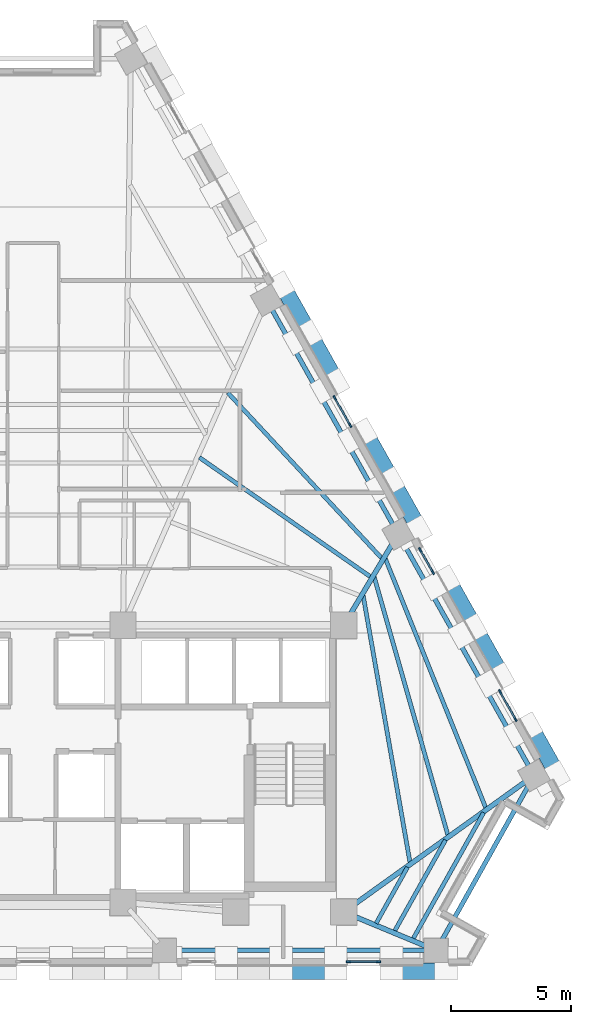
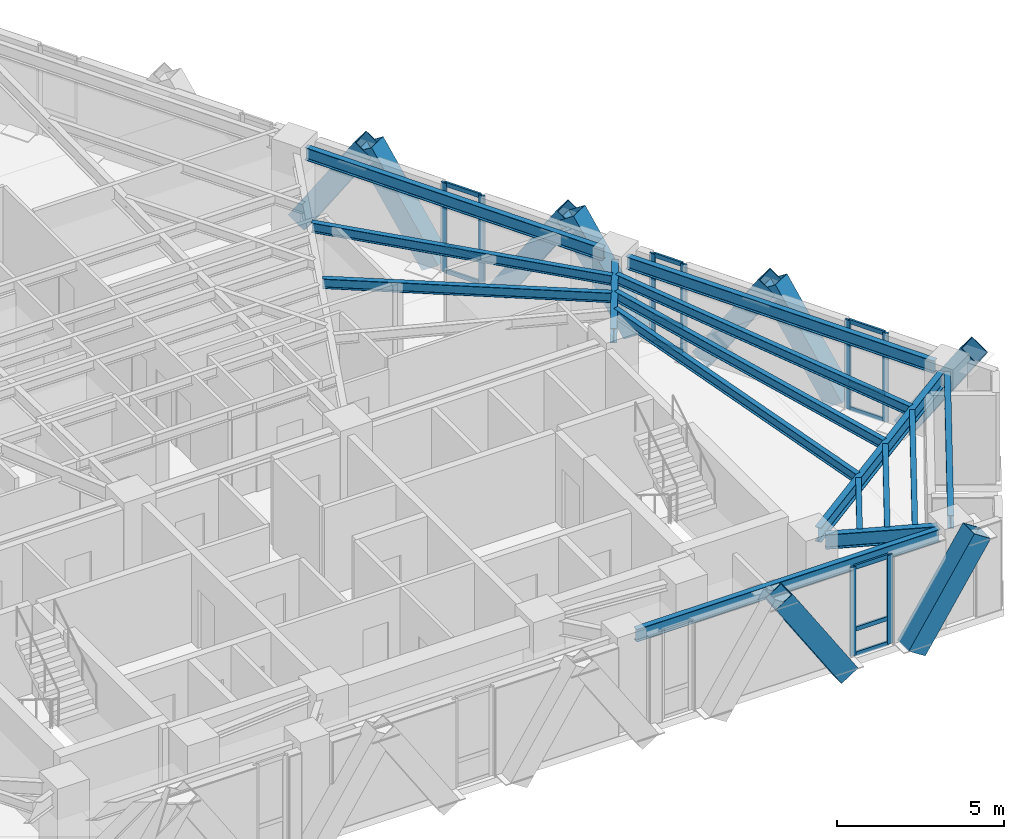
# One storey, part 4 of 13: 29 members, 15 beams, 4 elements without a shape of their own.
"""IFC4 building model written with IfcOpenShell, lengths in metres."""

from ifc_helpers import new_model, si_unit, direction, frame, origin, origin_2d, place, context, subcontext, project, spatial, rectangle, hollow_rectangle, i_section, extrude, material, material_profile, profile_set, type_object, element, aggregate, save


model = new_model("IFC4")

# Units and contexts
model_context = context("Model", 3, precision=1e-05, world=origin(), true_north=direction((0.0, 1.0)))
body_context = subcontext(model_context, "Body", "Model", "MODEL_VIEW")
ifc_project = project(units=[si_unit("LENGTHUNIT", "METRE"), si_unit("AREAUNIT", "SQUARE_METRE"), si_unit("VOLUMEUNIT", "CUBIC_METRE"), si_unit("PLANEANGLEUNIT", "RADIAN"), si_unit("MASSUNIT", "GRAM", prefix="KILO")], contexts=[model_context])

# Site, building, storey
site_placement = place(None, origin())
site = spatial("IfcSite", under=ifc_project, at=site_placement, CompositionType="ELEMENT")
building_placement = place(site_placement, origin())
building = spatial("IfcBuilding", under=site, at=building_placement, Name="Quenlor Broadcast Tower", CompositionType="ELEMENT")
storey_placement = place(building_placement, frame((0.0, 0.0, 137.0)))
storey = spatial("IfcBuildingStorey", under=building, at=storey_placement, Name="L37", CompositionType="ELEMENT", Elevation=137.0)

# Curtain wall, members
ifc_material_1 = material(Name="Architectural Terracotta and Low-E Glazing", Category="masonry")
curtain_wall_type = type_object("IfcCurtainWallType", Name="Unitised Terracotta Curtain Wall System Z3", PredefinedType="NOTDEFINED", material=ifc_material_1)
curtain_wall_1_placement = place(storey_placement, origin())
curtain_wall_1 = element("IfcCurtainWall", 1, at=curtain_wall_1_placement, inside=storey, type_object=curtain_wall_type, Name="L37 Curtain Wall CW3 (L37-SA-G1)", PredefinedType="NOTDEFINED")
ifc_material_2 = material(Name="Aluminium 6063-T6", Category="aluminium")
ifc_material_profile_1 = material_profile(ifc_material_2, rectangle(XDim=0.070068359375, YDim=0.18994140625, at=origin_2d()))
ifc_profile_set_1 = profile_set([ifc_material_profile_1], Name="Aluminium 6063-T6 MULL70x190")
member_type_1 = type_object("IfcMemberType", Name="CW3 Aluminium Mullion MULL_CW3", PredefinedType="MULLION", material=ifc_profile_set_1)
member_1_placement = place(storey_placement, frame((14.409912109375, -18.824951171875, 0.0), z_axis=(0.0, 0.0, 1.0), x_axis=(0.0, -1.0, 0.0)))
member_1 = element("IfcMember", 2, at=member_1_placement, type_object=member_type_1, Name="CW3 mullion 1", PredefinedType="MULLION", context=body_context, shape_type="SweptSolid", body=[
    extrude(rectangle(XDim=0.070068359375, YDim=0.18994140625, at=origin_2d()), origin(), (0.0, 0.0, 1.0), 3.25),
])
member_2_placement = place(storey_placement, frame((13.14208984375, -18.824951171875, 0.0), z_axis=(0.0, 0.0, 1.0), x_axis=(0.0, -1.0, 0.0)))
member_2 = element("IfcMember", 3, at=member_2_placement, type_object=member_type_1, Name="CW3 mullion 2", PredefinedType="MULLION", context=body_context, shape_type="SweptSolid", body=[
    extrude(rectangle(XDim=0.070068359375, YDim=0.18994140625, at=origin_2d()), origin(), (0.0, 0.0, 1.0), 3.25),
])

curtain_wall_2_placement = place(storey_placement, origin())
curtain_wall_2 = element("IfcCurtainWall", 4, at=curtain_wall_2_placement, inside=storey, type_object=curtain_wall_type, Name="L37 Curtain Wall CW3 (L37-NEC-G1)", PredefinedType="NOTDEFINED")
member_3_placement = place(storey_placement, frame((16.137939453125, -1.646728515625, 0.0), z_axis=(0.0, 0.0, 1.0), x_axis=(0.871580169247, 0.490253004657, 0.0)))
member_3 = element("IfcMember", 5, at=member_3_placement, type_object=member_type_1, Name="CW3 mullion 1", PredefinedType="MULLION", context=body_context, shape_type="SweptSolid", body=[
    extrude(rectangle(XDim=0.070068359375, YDim=0.18994140625, at=origin_2d()), origin(), (0.0, 0.0, 1.0), 3.25),
])
member_4_placement = place(storey_placement, frame((16.6689453125, -2.5908203125, 0.0), z_axis=(0.0, 0.0, 1.0), x_axis=(0.871580169247, 0.490253004657, 0.0)))
member_4 = element("IfcMember", 6, at=member_4_placement, type_object=member_type_1, Name="CW3 mullion 2", PredefinedType="MULLION", context=body_context, shape_type="SweptSolid", body=[
    extrude(rectangle(XDim=0.070068359375, YDim=0.18994140625, at=origin_2d()), origin(), (0.0, 0.0, 1.0), 3.25),
])

curtain_wall_3_placement = place(storey_placement, origin())
curtain_wall_3 = element("IfcCurtainWall", 7, at=curtain_wall_3_placement, inside=storey, type_object=curtain_wall_type, Name="L37 Curtain Wall CW3 (L37-NEC-G2)", PredefinedType="NOTDEFINED")
member_5_placement = place(storey_placement, frame((19.47021484375, -7.570556640625, 0.0), z_axis=(0.0, 0.0, 1.0), x_axis=(0.871575537123, 0.490261239636, 0.0)))
member_5 = element("IfcMember", 8, at=member_5_placement, type_object=member_type_1, Name="CW3 mullion 1", PredefinedType="MULLION", context=body_context, shape_type="SweptSolid", body=[
    extrude(rectangle(XDim=0.070068359375, YDim=0.18994140625, at=origin_2d()), origin(), (0.0, 0.0, 1.0), 3.25),
])
member_6_placement = place(storey_placement, frame((20.1171875, -8.720703125, 0.0), z_axis=(0.0, 0.0, 1.0), x_axis=(0.871575537123, 0.490261239636, 0.0)))
member_6 = element("IfcMember", 9, at=member_6_placement, type_object=member_type_1, Name="CW3 mullion 2", PredefinedType="MULLION", context=body_context, shape_type="SweptSolid", body=[
    extrude(rectangle(XDim=0.070068359375, YDim=0.18994140625, at=origin_2d()), origin(), (0.0, 0.0, 1.0), 3.25),
])

curtain_wall_4_placement = place(storey_placement, origin())
curtain_wall_4 = element("IfcCurtainWall", 10, at=curtain_wall_4_placement, inside=storey, type_object=curtain_wall_type, Name="L37 Curtain Wall CW3 (L37-NE-G1)", PredefinedType="NOTDEFINED")
member_7_placement = place(storey_placement, frame((12.573974609375, 4.689208984375, 0.0), z_axis=(0.0, 0.0, 1.0), x_axis=(0.871562085714, 0.490285152484, 0.0)))
member_7 = element("IfcMember", 11, at=member_7_placement, type_object=member_type_1, Name="CW3 mullion 1", PredefinedType="MULLION", context=body_context, shape_type="SweptSolid", body=[
    extrude(rectangle(XDim=0.070068359375, YDim=0.18994140625, at=origin_2d()), origin(), (0.0, 0.0, 1.0), 3.25),
])
member_8_placement = place(storey_placement, frame((13.220947265625, 3.5390625, 0.0), z_axis=(0.0, 0.0, 1.0), x_axis=(0.871562085714, 0.490285152484, 0.0)))
member_8 = element("IfcMember", 12, at=member_8_placement, type_object=member_type_1, Name="CW3 mullion 2", PredefinedType="MULLION", context=body_context, shape_type="SweptSolid", body=[
    extrude(rectangle(XDim=0.070068359375, YDim=0.18994140625, at=origin_2d()), origin(), (0.0, 0.0, 1.0), 3.25),
])

# Member
ifc_material_3 = material(Name="Aluminium 6063-T6", Category="aluminium")
ifc_material_profile_2 = material_profile(ifc_material_3, rectangle(XDim=0.070068359375, YDim=0.155029296875, at=origin_2d()))
ifc_profile_set_2 = profile_set([ifc_material_profile_2], Name="Aluminium 6063-T6 TRAN70x155")
member_type_2 = type_object("IfcMemberType", Name="CW3 Aluminium Transom TRAN_CW3", PredefinedType="USERDEFINED", material=ifc_profile_set_2)
member_9_placement = place(storey_placement, frame((14.375, -18.824951171875, 0.034912109375), z_axis=(-1.0, 0.0, 0.0), x_axis=(0.0, -1.0, 0.0)))
member_9 = element("IfcMember", 13, at=member_9_placement, type_object=member_type_2, Name="CW3 transom 1.1", ObjectType="TRANSOM", PredefinedType="USERDEFINED", context=body_context, shape_type="SweptSolid", body=[
    extrude(rectangle(XDim=0.070068359375, YDim=0.155029296875, at=origin_2d()), origin(), (0.0, 0.0, 1.0), 1.197998046875),
])

member_10_placement = place(storey_placement, frame((14.375, -18.824951171875, 0.949951171875), z_axis=(-1.0, 0.0, 0.0), x_axis=(0.0, -1.0, 0.0)))
member_10 = element("IfcMember", 14, at=member_10_placement, type_object=member_type_2, Name="CW3 transom 1.2", ObjectType="TRANSOM", PredefinedType="USERDEFINED", context=body_context, shape_type="SweptSolid", body=[
    extrude(rectangle(XDim=0.070068359375, YDim=0.155029296875, at=origin_2d()), origin(), (0.0, 0.0, 1.0), 1.197998046875),
])

member_11_placement = place(storey_placement, frame((14.375, -18.824951171875, 3.215087890625), z_axis=(-1.0, 0.0, 0.0), x_axis=(0.0, -1.0, 0.0)))
member_11 = element("IfcMember", 15, at=member_11_placement, type_object=member_type_2, Name="CW3 transom 1.3", ObjectType="TRANSOM", PredefinedType="USERDEFINED", context=body_context, shape_type="SweptSolid", body=[
    extrude(rectangle(XDim=0.070068359375, YDim=0.155029296875, at=origin_2d()), origin(), (0.0, 0.0, 1.0), 1.197998046875),
])

aggregate(curtain_wall_1, [member_1, member_2, member_9, member_10, member_11])

member_12_placement = place(storey_placement, frame((16.1552734375, -1.67724609375, 0.034912109375), z_axis=(0.49015826449, -0.871633452635, 0.0), x_axis=(0.871633452635, 0.49015826449, 0.0)))
member_12 = element("IfcMember", 16, at=member_12_placement, type_object=member_type_2, Name="CW3 transom 1.1", ObjectType="TRANSOM", PredefinedType="USERDEFINED", context=body_context, shape_type="SweptSolid", body=[
    extrude(rectangle(XDim=0.070068359375, YDim=0.155029296875, at=origin_2d()), origin(), (0.0, 0.0, 1.0), 1.01318359375),
])

member_13_placement = place(storey_placement, frame((16.1552734375, -1.67724609375, 0.949951171875), z_axis=(0.49015826449, -0.871633452635, 0.0), x_axis=(0.871633452635, 0.49015826449, 0.0)))
member_13 = element("IfcMember", 17, at=member_13_placement, type_object=member_type_2, Name="CW3 transom 1.2", ObjectType="TRANSOM", PredefinedType="USERDEFINED", context=body_context, shape_type="SweptSolid", body=[
    extrude(rectangle(XDim=0.070068359375, YDim=0.155029296875, at=origin_2d()), origin(), (0.0, 0.0, 1.0), 1.01318359375),
])

member_14_placement = place(storey_placement, frame((16.1552734375, -1.67724609375, 3.215087890625), z_axis=(0.49015826449, -0.871633452635, 0.0), x_axis=(0.871633452635, 0.49015826449, 0.0)))
member_14 = element("IfcMember", 18, at=member_14_placement, type_object=member_type_2, Name="CW3 transom 1.3", ObjectType="TRANSOM", PredefinedType="USERDEFINED", context=body_context, shape_type="SweptSolid", body=[
    extrude(rectangle(XDim=0.070068359375, YDim=0.155029296875, at=origin_2d()), origin(), (0.0, 0.0, 1.0), 1.01318359375),
])

aggregate(curtain_wall_2, [member_3, member_4, member_12, member_13, member_14])

member_15_placement = place(storey_placement, frame((19.4873046875, -7.60107421875, 0.034912109375), z_axis=(0.490363266059, -0.871518139398, 0.0), x_axis=(0.871518139398, 0.490363266059, 0.0)))
member_15 = element("IfcMember", 19, at=member_15_placement, type_object=member_type_2, Name="CW3 transom 1.1", ObjectType="TRANSOM", PredefinedType="USERDEFINED", context=body_context, shape_type="SweptSolid", body=[
    extrude(rectangle(XDim=0.070068359375, YDim=0.155029296875, at=origin_2d()), origin(), (0.0, 0.0, 1.0), 1.249755859375),
])

member_16_placement = place(storey_placement, frame((19.4873046875, -7.60107421875, 0.949951171875), z_axis=(0.490363266059, -0.871518139398, 0.0), x_axis=(0.871518139398, 0.490363266059, 0.0)))
member_16 = element("IfcMember", 20, at=member_16_placement, type_object=member_type_2, Name="CW3 transom 1.2", ObjectType="TRANSOM", PredefinedType="USERDEFINED", context=body_context, shape_type="SweptSolid", body=[
    extrude(rectangle(XDim=0.070068359375, YDim=0.155029296875, at=origin_2d()), origin(), (0.0, 0.0, 1.0), 1.249755859375),
])

member_17_placement = place(storey_placement, frame((19.4873046875, -7.60107421875, 3.215087890625), z_axis=(0.490363266059, -0.871518139398, 0.0), x_axis=(0.871518139398, 0.490363266059, 0.0)))
member_17 = element("IfcMember", 21, at=member_17_placement, type_object=member_type_2, Name="CW3 transom 1.3", ObjectType="TRANSOM", PredefinedType="USERDEFINED", context=body_context, shape_type="SweptSolid", body=[
    extrude(rectangle(XDim=0.070068359375, YDim=0.155029296875, at=origin_2d()), origin(), (0.0, 0.0, 1.0), 1.249755859375),
])

aggregate(curtain_wall_3, [member_5, member_6, member_15, member_16, member_17])

member_18_placement = place(storey_placement, frame((12.591064453125, 4.65869140625, 0.034912109375), z_axis=(0.490363266059, -0.871518139398, 0.0), x_axis=(0.871518139398, 0.490363266059, 0.0)))
member_18 = element("IfcMember", 22, at=member_18_placement, type_object=member_type_2, Name="CW3 transom 1.1", ObjectType="TRANSOM", PredefinedType="USERDEFINED", context=body_context, shape_type="SweptSolid", body=[
    extrude(rectangle(XDim=0.070068359375, YDim=0.155029296875, at=origin_2d()), origin(), (0.0, 0.0, 1.0), 1.249755859375),
])

member_19_placement = place(storey_placement, frame((12.591064453125, 4.65869140625, 0.949951171875), z_axis=(0.490363266059, -0.871518139398, 0.0), x_axis=(0.871518139398, 0.490363266059, 0.0)))
member_19 = element("IfcMember", 23, at=member_19_placement, type_object=member_type_2, Name="CW3 transom 1.2", ObjectType="TRANSOM", PredefinedType="USERDEFINED", context=body_context, shape_type="SweptSolid", body=[
    extrude(rectangle(XDim=0.070068359375, YDim=0.155029296875, at=origin_2d()), origin(), (0.0, 0.0, 1.0), 1.249755859375),
])

member_20_placement = place(storey_placement, frame((12.591064453125, 4.65869140625, 3.215087890625), z_axis=(0.490363266059, -0.871518139398, 0.0), x_axis=(0.871518139398, 0.490363266059, 0.0)))
member_20 = element("IfcMember", 24, at=member_20_placement, type_object=member_type_2, Name="CW3 transom 1.3", ObjectType="TRANSOM", PredefinedType="USERDEFINED", context=body_context, shape_type="SweptSolid", body=[
    extrude(rectangle(XDim=0.070068359375, YDim=0.155029296875, at=origin_2d()), origin(), (0.0, 0.0, 1.0), 1.249755859375),
])

aggregate(curtain_wall_4, [member_7, member_8, member_18, member_19, member_20])

# Members
ifc_material_4 = material(Name="Steel S355", Category="steel")
ifc_material_profile_3 = material_profile(ifc_material_4, hollow_rectangle(XDim=0.679931640625, YDim=0.679931640625, WallThickness=0.02490234375, at=origin_2d()))
ifc_profile_set_3 = profile_set([ifc_material_profile_3], Name="Steel S355 RHS680x680x25")
member_type_3 = type_object("IfcMemberType", Name="Perimeter Diagonal Lattice Brace Z3-Z4 Steel S355 RHS680x25", PredefinedType="BRACE", material=ifc_profile_set_3)
for number, where, z_axis, x_axis, name in (
    (25, (12.6142578125, -19.219970703125, -0.1201171875), (-0.543901560697, 0.0, 0.839149028643), (0.0, -1.0, 0.0), "L37 Perimeter Diamond Lattice S-C1S"),
    (26, (14.937744140625, -19.219970703125, -0.1201171875), (0.543901560697, 0.0, 0.839149028643), (0.0, 1.0, 0.0), "L37 Perimeter Diamond Lattice S-C1B"),
):
    element("IfcMember", number, at=place(storey_placement, frame(where, z_axis=z_axis, x_axis=x_axis)), inside=storey, type_object=member_type_3, Name=name, PredefinedType="BRACE", context=body_context, shape_type="SweptSolid", body=[
        extrude(hollow_rectangle(XDim=0.679931640625, YDim=0.679931640625, WallThickness=0.02490234375, at=origin_2d()), origin(), (0.0, 0.0, 1.0), 4.1708984375),
    ])
for number, where, z_axis, x_axis, name in (
    (27, (10.375244140625, 9.40380859375, -0.1201171875), (0.2705491942, -0.481008661973, 0.833926735766), (0.871589611547, 0.490236217596, 0.0), "L37 Perimeter Diamond Lattice NE-C2S"),
    (28, (13.823486328125, 3.27392578125, -0.1201171875), (0.2705491942, -0.481008661973, 0.833926735766), (0.871589611547, 0.490236217596, 0.0), "L37 Perimeter Diamond Lattice NE-C3S"),
    (29, (12.66015625, 5.341796875, -0.1201171875), (-0.2705491942, 0.481008661973, 0.833926735766), (-0.871589611547, -0.490236217596, 0.0), "L37 Perimeter Diamond Lattice NE-C3B"),
    (30, (17.271484375, -2.85595703125, -0.1201171875), (0.2705491942, -0.481008661973, 0.833926735766), (0.871589611547, 0.490236217596, 0.0), "L37 Perimeter Diamond Lattice NE-C4S"),
    (31, (16.1083984375, -0.7880859375, -0.1201171875), (-0.27060310517, 0.481001091283, 0.833913610428), (-0.871544572467, -0.490316283845, 0.0), "L37 Perimeter Diamond Lattice NE-C4B"),
    (32, (20.719482421875, -8.98583984375, -0.1201171875), (0.2705491942, -0.481008661973, 0.833926735766), (0.871589611547, 0.490236217596, 0.0), "L37 Perimeter Diamond Lattice NE-C5S"),
    (33, (19.556396484375, -6.918212890625, -0.1201171875), (-0.2705491942, 0.481008661973, 0.833926735766), (-0.871589611547, -0.490236217596, 0.0), "L37 Perimeter Diamond Lattice NE-C5B"),
):
    element("IfcMember", number, at=place(storey_placement, frame(where, z_axis=z_axis, x_axis=x_axis)), inside=storey, type_object=member_type_3, Name=name, PredefinedType="BRACE", context=body_context, shape_type="SweptSolid", body=[
        extrude(hollow_rectangle(XDim=0.679931640625, YDim=0.679931640625, WallThickness=0.02490234375, at=origin_2d()), origin(), (0.0, 0.0, 1.0), 4.197021484375),
    ])

# Beams
ifc_material_5 = material(Name="Steel S355", Category="steel")
ifc_material_profile_4 = material_profile(ifc_material_5, i_section(OverallWidth=0.19091796875, OverallDepth=0.46044921875, WebThickness=0.010009765625, FlangeThickness=0.01611328125, FilletRadius=0.011474609375, at=origin_2d()))
ifc_profile_set_4 = profile_set([ifc_material_profile_4], Name="Steel S355 460UB82.1")
beam_type_1 = type_object("IfcBeamType", Name="Perimeter Spandrel Beam Z3 Steel S355 460UB82.1", PredefinedType="SPANDREL", material=ifc_profile_set_4)
beam_1_placement = place(storey_placement, frame((5.89111328125, -18.35009765625, 3.019775390625), z_axis=(1.0, 0.0, 0.0), x_axis=(0.0, 1.0, 0.0)))
element("IfcBeam", 34, at=beam_1_placement, inside=storey, type_object=beam_type_1, Name="L37 Spandrel Beam S3-S4", PredefinedType="SPANDREL", context=body_context, shape_type="SweptSolid", body=[
    extrude(i_section(OverallWidth=0.19091796875, OverallDepth=0.46044921875, WebThickness=0.010009765625, FlangeThickness=0.01611328125, FilletRadius=0.011474609375, at=origin_2d()), origin(), (0.0, 0.0, 1.0), 10.50732421875),
])
beam_2_placement = place(storey_placement, frame((17.008544921875, -17.9921875, 3.019775390625), z_axis=(0.488298439934, 0.872676706208, 0.0), x_axis=(-0.872676706208, 0.488298439934, 0.0)))
element("IfcBeam", 35, at=beam_2_placement, inside=storey, type_object=beam_type_1, Name="L37 Spandrel Beam S4-NE1", PredefinedType="SPANDREL", context=body_context, shape_type="SweptSolid", body=[
    extrude(i_section(OverallWidth=0.19091796875, OverallDepth=0.46044921875, WebThickness=0.010009765625, FlangeThickness=0.01611328125, FilletRadius=0.011474609375, at=origin_2d()), origin(), (0.0, 0.0, 1.0), 7.5341796875),
])
beam_3_placement = place(storey_placement, frame((20.686767578125, -10.7021484375, 3.019775390625), z_axis=(-0.490257999604, 0.871577359633, 0.0), x_axis=(-0.871577359633, -0.490257999604, 0.0)))
element("IfcBeam", 36, at=beam_3_placement, inside=storey, type_object=beam_type_1, Name="L37 Spandrel Beam NE1-NE2", PredefinedType="SPANDREL", context=body_context, shape_type="SweptSolid", body=[
    extrude(i_section(OverallWidth=0.19091796875, OverallDepth=0.46044921875, WebThickness=0.010009765625, FlangeThickness=0.01611328125, FilletRadius=0.011474609375, at=origin_2d()), origin(), (0.0, 0.0, 1.0), 10.732666015625),
])
beam_4_placement = place(storey_placement, frame((15.02294921875, -0.63330078125, 3.019775390625), z_axis=(-0.490252288562, 0.871580572041, 0.0), x_axis=(-0.871580572041, -0.490252288562, 0.0)))
element("IfcBeam", 37, at=beam_4_placement, inside=storey, type_object=beam_type_1, Name="L37 Spandrel Beam NE2-NE3", PredefinedType="SPANDREL", context=body_context, shape_type="SweptSolid", body=[
    extrude(i_section(OverallWidth=0.19091796875, OverallDepth=0.46044921875, WebThickness=0.010009765625, FlangeThickness=0.01611328125, FilletRadius=0.011474609375, at=origin_2d()), origin(), (0.0, 0.0, 1.0), 10.359619140625),
])
ifc_material_6 = material(Name="Steel S355", Category="steel")
ifc_material_profile_5 = material_profile(ifc_material_6, i_section(OverallWidth=0.172119140625, OverallDepth=0.358642578125, WebThickness=0.008056640625, FlangeThickness=0.012939453125, FilletRadius=0.011474609375, at=origin_2d()))
ifc_profile_set_5 = profile_set([ifc_material_profile_5], Name="Steel S355 360UB56.7")
beam_type_2 = type_object("IfcBeamType", Name="Tower Composite Joist Z2-Z3 Steel S355 360UB56.7", PredefinedType="JOIST", material=ifc_profile_set_5)
beam_5_placement = place(storey_placement, frame((14.06689453125, -2.7734375, 3.07080078125), z_axis=(-0.82026568394, 0.57198269882, 0.0), x_axis=(-0.57198269882, -0.82026568394, 0.0)))
element("IfcBeam", 38, at=beam_5_placement, inside=storey, type_object=beam_type_2, Name="L37 Secondary Composite Joist 11", PredefinedType="JOIST", context=body_context, shape_type="SweptSolid", body=[
    extrude(i_section(OverallWidth=0.172119140625, OverallDepth=0.358642578125, WebThickness=0.008056640625, FlangeThickness=0.012939453125, FilletRadius=0.011474609375, at=origin_2d()), origin(), (0.0, 0.0, 1.0), 8.698486328125),
])
beam_6_placement = place(storey_placement, frame((14.53271484375, -1.998779296875, 3.07080078125), z_axis=(-0.680873505991, 0.732401030065, 0.0), x_axis=(-0.732401030065, -0.680873505991, 0.0)))
element("IfcBeam", 39, at=beam_6_placement, inside=storey, type_object=beam_type_2, Name="L37 Secondary Composite Joist 12", PredefinedType="JOIST", context=body_context, shape_type="SweptSolid", body=[
    extrude(i_section(OverallWidth=0.172119140625, OverallDepth=0.358642578125, WebThickness=0.008056640625, FlangeThickness=0.012939453125, FilletRadius=0.011474609375, at=origin_2d()), origin(), (0.0, 0.0, 1.0), 9.419189453125),
])
beam_7_placement = place(storey_placement, frame((15.71435546875, -14.679443359375, 3.07080078125), z_axis=(-0.172906811417, 0.984938188195, 0.0), x_axis=(-0.984938188195, -0.172906811417, 0.0)))
element("IfcBeam", 40, at=beam_7_placement, inside=storey, type_object=beam_type_2, Name="L37 Secondary Composite Joist 16", PredefinedType="JOIST", context=body_context, shape_type="SweptSolid", body=[
    extrude(i_section(OverallWidth=0.172119140625, OverallDepth=0.358642578125, WebThickness=0.008056640625, FlangeThickness=0.012939453125, FilletRadius=0.011474609375, at=origin_2d()), origin(), (0.0, 0.0, 1.0), 11.30419921875),
])
beam_8_placement = place(storey_placement, frame((17.293701171875, -13.543212890625, 3.07080078125), z_axis=(-0.274418577045, 0.961610339261, 0.0), x_axis=(-0.961610339261, -0.274418577045, 0.0)))
element("IfcBeam", 41, at=beam_8_placement, inside=storey, type_object=beam_type_2, Name="L37 Secondary Composite Joist 17", PredefinedType="JOIST", context=body_context, shape_type="SweptSolid", body=[
    extrude(i_section(OverallWidth=0.172119140625, OverallDepth=0.358642578125, WebThickness=0.008056640625, FlangeThickness=0.012939453125, FilletRadius=0.011474609375, at=origin_2d()), origin(), (0.0, 0.0, 1.0), 11.191162109375),
])
beam_9_placement = place(storey_placement, frame((18.873291015625, -12.407958984375, 3.07080078125), z_axis=(-0.373824118901, 0.927499610851, 0.0), x_axis=(-0.927499610851, -0.373824118901, 0.0)))
element("IfcBeam", 42, at=beam_9_placement, inside=storey, type_object=beam_type_2, Name="L37 Secondary Composite Joist 18", PredefinedType="JOIST", context=body_context, shape_type="SweptSolid", body=[
    extrude(i_section(OverallWidth=0.172119140625, OverallDepth=0.358642578125, WebThickness=0.008056640625, FlangeThickness=0.012939453125, FilletRadius=0.011474609375, at=origin_2d()), origin(), (0.0, 0.0, 1.0), 11.203125),
])
beam_10_placement = place(storey_placement, frame((14.30078125, -17.22412109375, 3.07080078125), z_axis=(0.488370382241, 0.87263644764, 0.0), x_axis=(-0.87263644764, 0.488370382241, 0.0)))
element("IfcBeam", 43, at=beam_10_placement, inside=storey, type_object=beam_type_2, Name="L37 Secondary Composite Joist 22", PredefinedType="JOIST", context=body_context, shape_type="SweptSolid", body=[
    extrude(i_section(OverallWidth=0.172119140625, OverallDepth=0.358642578125, WebThickness=0.008056640625, FlangeThickness=0.012939453125, FilletRadius=0.011474609375, at=origin_2d()), origin(), (0.0, 0.0, 1.0), 2.680419921875),
])
beam_11_placement = place(storey_placement, frame((15.072509765625, -17.544189453125, 3.07080078125), z_axis=(0.488294103756, 0.872679132463, 0.0), x_axis=(-0.872679132463, 0.488294103756, 0.0)))
element("IfcBeam", 44, at=beam_11_placement, inside=storey, type_object=beam_type_2, Name="L37 Secondary Composite Joist 23", PredefinedType="JOIST", context=body_context, shape_type="SweptSolid", body=[
    extrude(i_section(OverallWidth=0.172119140625, OverallDepth=0.358642578125, WebThickness=0.008056640625, FlangeThickness=0.012939453125, FilletRadius=0.011474609375, at=origin_2d()), origin(), (0.0, 0.0, 1.0), 4.351318359375),
])
beam_12_placement = place(storey_placement, frame((15.84423828125, -17.8642578125, 3.07080078125), z_axis=(0.488308300212, 0.872671188905, 0.0), x_axis=(-0.872671188905, 0.488308300212, 0.0)))
element("IfcBeam", 45, at=beam_12_placement, inside=storey, type_object=beam_type_2, Name="L37 Secondary Composite Joist 24", PredefinedType="JOIST", context=body_context, shape_type="SweptSolid", body=[
    extrude(i_section(OverallWidth=0.172119140625, OverallDepth=0.358642578125, WebThickness=0.008056640625, FlangeThickness=0.012939453125, FilletRadius=0.011474609375, at=origin_2d()), origin(), (0.0, 0.0, 1.0), 6.022216796875),
])
ifc_material_7 = material(Name="Steel S355", Category="steel")
ifc_material_profile_6 = material_profile(ifc_material_7, i_section(OverallWidth=0.208984375, OverallDepth=0.532958984375, WebThickness=0.01025390625, FlangeThickness=0.015625, FilletRadius=0.013916015625, at=origin_2d()))
ifc_profile_set_6 = profile_set([ifc_material_profile_6], Name="Steel S355 530UB92.4")
beam_type_3 = type_object("IfcBeamType", Name="Tower Primary Floor Beam Z3 Steel S355 530UB92.4", PredefinedType="BEAM", material=ifc_profile_set_6)
beam_13_placement = place(storey_placement, frame((16.4296875, -18.19287109375, 2.9833984375), z_axis=(-0.923730294618, 0.383043525993, 0.0), x_axis=(-0.383043525993, -0.923730294618, 0.0)))
element("IfcBeam", 46, at=beam_13_placement, inside=storey, type_object=beam_type_3, Name="L37 Primary Radial Beam S4", PredefinedType="BEAM", context=body_context, shape_type="SweptSolid", body=[
    extrude(i_section(OverallWidth=0.208984375, OverallDepth=0.532958984375, WebThickness=0.01025390625, FlangeThickness=0.015625, FilletRadius=0.013916015625, at=origin_2d()), origin(), (0.0, 0.0, 1.0), 3.386962890625),
])
beam_14_placement = place(storey_placement, frame((20.554443359375, -11.29833984375, 2.9833984375), z_axis=(-0.812728908832, -0.582642017666, 0.0), x_axis=(0.582642017666, -0.812728908832, 0.0)))
element("IfcBeam", 47, at=beam_14_placement, inside=storey, type_object=beam_type_3, Name="L37 Primary Radial Beam NE1", PredefinedType="BEAM", context=body_context, shape_type="SweptSolid", body=[
    extrude(i_section(OverallWidth=0.208984375, OverallDepth=0.532958984375, WebThickness=0.01025390625, FlangeThickness=0.015625, FilletRadius=0.013916015625, at=origin_2d()), origin(), (0.0, 0.0, 1.0), 8.976806640625),
])
beam_15_placement = place(storey_placement, frame((15.013916015625, -1.3427734375, 2.9833984375), z_axis=(-0.512604023694, -0.858625130597, 0.0), x_axis=(0.858625130597, -0.512604023694, 0.0)))
element("IfcBeam", 48, at=beam_15_placement, inside=storey, type_object=beam_type_3, Name="L37 Primary Radial Beam NE2", PredefinedType="BEAM", context=body_context, shape_type="SweptSolid", body=[
    extrude(i_section(OverallWidth=0.208984375, OverallDepth=0.532958984375, WebThickness=0.01025390625, FlangeThickness=0.015625, FilletRadius=0.013916015625, at=origin_2d()), origin(), (0.0, 0.0, 1.0), 3.646484375),
])

save(model, "model.ifc")
